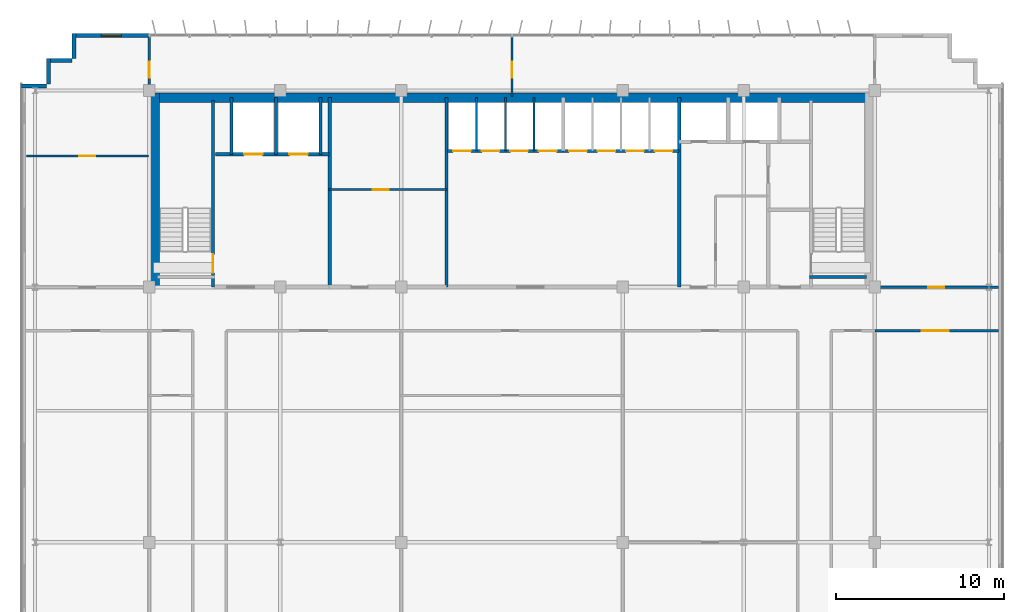
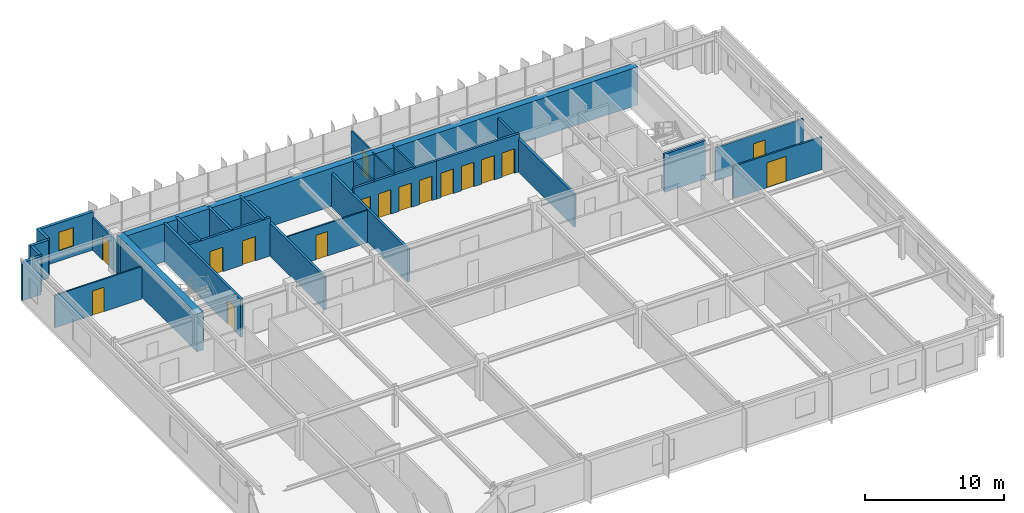
# One storey, part 16 of 19: 27 walls, 17 doors, 1 window, 18 openings.
"""IFC4 building model written with IfcOpenShell, lengths in metres."""

from ifc_helpers import new_model, si_unit, direction, frame, frame_2d, origin, place, context, subcontext, project, spatial, rectangle, extrude, source, transform, mapped, material, layer, layer_set, type_object, element, fill, save


model = new_model("IFC4")

# Units and contexts
model_context = context("Model", 3, precision=1e-05, world=origin(), true_north=direction((0.0, 1.0)))
body_context = subcontext(model_context, "Body", "Model", "MODEL_VIEW")
ifc_project = project(units=[si_unit("LENGTHUNIT", "METRE"), si_unit("AREAUNIT", "SQUARE_METRE"), si_unit("VOLUMEUNIT", "CUBIC_METRE"), si_unit("PLANEANGLEUNIT", "RADIAN"), si_unit("MASSUNIT", "GRAM", prefix="KILO")], contexts=[model_context])

# Site, building, storey
site_placement = place(None, origin())
site = spatial("IfcSite", under=ifc_project, at=site_placement, CompositionType="ELEMENT")
building_placement = place(site_placement, origin())
building = spatial("IfcBuilding", under=site, at=building_placement, Name="Trelvane Seafront Commons", CompositionType="ELEMENT")
storey_placement = place(building_placement, frame((0.0, 0.0, 215.699951171875)))
storey = spatial("IfcBuildingStorey", under=building, at=storey_placement, Name="L56", CompositionType="ELEMENT", Elevation=215.699951171875)

# Wall, opening, window
ifc_material_1 = material(Name="Precast concrete C40/50", Category="concrete")
ifc_layer_1 = layer(ifc_material_1, 0.239990234375, Name="ARCH-WALL-EXT240")
ifc_layer_set_1 = layer_set([ifc_layer_1], Name="Precast concrete C40/50")
wall_type_1 = type_object("IfcWallType", Name="ARCH-WALL-EXT240", PredefinedType="SOLIDWALL", material=ifc_layer_set_1)
wall_1_placement = place(storey_placement, frame((11.10009765625, 48.3701171875, 0.0), z_axis=(0.0, 0.0, 1.0), x_axis=(1.0, 0.0, 0.0)))
wall_1 = element("IfcWall", 1, at=wall_1_placement, inside=storey, type_object=wall_type_1, Name="EW-L56-NW-1120", PredefinedType="SOLIDWALL", context=body_context, shape_type="SweptSolid", body=[
    extrude(rectangle(XDim=4.5, YDim=0.239990234375, at=frame_2d((2.25, 0.0))), origin(), (0.0, 0.0, 1.0), 3.360107421875),
])
opening_1_placement = place(wall_1_placement, frame((1.64990234375, 0.0, 0.89990234375)))
opening_1 = element("IfcOpeningElement", 2, at=opening_1_placement, cuts=wall_1, Name="Opening W05", PredefinedType="OPENING", context=body_context, shape_type="SweptSolid", body=[
    extrude(rectangle(XDim=1.199951171875, YDim=1.64990234375, at=frame_2d((0.60009765625, 0.824951171875))), frame((0.0, 0.1298828125, 0.0), z_axis=(0.0, -1.0, 0.0), x_axis=(1.0, 0.0, 0.0)), (0.0, 0.0, 1.0), 0.260009765625),
])
ifc_material_2 = material(Name="Low-E coastal double glazing", Category="glass")
window_type = type_object("IfcWindowType", Name="ARCH-WIN-W05", PartitioningType="SINGLE_PANEL", PredefinedType="WINDOW", material=ifc_material_2)
shared_shape_1 = source(origin(), body_context, "Body", "SweptSolid", [
    extrude(rectangle(XDim=1.199951171875, YDim=1.64990234375, at=frame_2d((0.60009765625, 0.824951171875))), frame((0.0, 0.030029296875, 0.0), z_axis=(0.0, -1.0, 0.0), x_axis=(1.0, 0.0, 0.0)), (0.0, 0.0, 1.0), 0.06005859375),
])
window_placement = place(opening_1_placement, origin())
window = element("IfcWindow", 3, at=window_placement, inside=storey, type_object=window_type, Name="WIN-L56-01358", OverallHeight=1.64990234375, OverallWidth=1.199951171875, PartitioningType="SINGLE_PANEL", PredefinedType="WINDOW", context=body_context, shape_type="MappedRepresentation", body=[
    mapped(shared_shape_1, transform((0.0, 0.0, 0.0), x_axis=(1.0, 0.0, 0.0), y_axis=(0.0, 1.0, 0.0), z_axis=(0.0, 0.0, 1.0), scale=1.0)),
])
fill(opening_1, window)

# Walls
for number, where, z_axis, x_axis, name in (
    (4, (8.0, 45.3798828125, 0.0), (0.0, 0.0, 1.0), (1.0, 0.0, 0.0), "EW-L56-01126"),
    (5, (9.6201171875, 45.5, 0.0), (0.0, 0.0, 1.0), (0.0, 1.0, 0.0), "EW-L56-01127"),
    (6, (9.5, 46.8798828125, 0.0), (0.0, 0.0, 1.0), (1.0, 0.0, 0.0), "EW-L56-01128"),
    (7, (11.1201171875, 47.0, 0.0), (0.0, 0.0, 1.0), (0.0, 1.0, 0.0), "EW-L56-01129"),
):
    element("IfcWall", number, at=place(storey_placement, frame(where, z_axis=z_axis, x_axis=x_axis)), inside=storey, type_object=wall_type_1, Name=name, PredefinedType="SOLIDWALL", context=body_context, shape_type="SweptSolid", body=[
        extrude(rectangle(XDim=1.5, YDim=0.239990234375, at=frame_2d((0.75, 0.0))), origin(), (0.0, 0.0, 1.0), 3.360107421875),
    ])

# Wall, opening, door
ifc_material_3 = material(Name="Gypsum Drywall Acoustic Partition")
ifc_layer_2 = layer(ifc_material_3, 0.1201171875, Name="ARCH-WALL-PART120")
ifc_layer_set_2 = layer_set([ifc_layer_2], Name="Gypsum Drywall Acoustic Partition")
wall_type_2 = type_object("IfcWallType", Name="ARCH-WALL-PART120", PredefinedType="PARTITIONING", material=ifc_layer_set_2)
wall_2_placement = place(storey_placement, frame((26.300048828125, 39.199951171875, 0.0), z_axis=(0.0, 0.0, 1.0), x_axis=(1.0, 0.0, 0.0)))
wall_2 = element("IfcWall", 8, at=wall_2_placement, inside=storey, type_object=wall_type_2, Name="W-L56-FREED-PL-MID-014", PredefinedType="PARTITIONING", context=body_context, shape_type="SweptSolid", body=[
    extrude(rectangle(XDim=7.0, YDim=0.1201171875, at=frame_2d((3.5, 0.0))), origin(), (0.0, 0.0, 1.0), 2.860107421875),
])
opening_2_placement = place(wall_2_placement, frame((2.60009765625, 0.0, 0.0)))
opening_2 = element("IfcOpeningElement", 9, at=opening_2_placement, cuts=wall_2, Name="Opening D-L56-06", PredefinedType="OPENING", context=body_context, shape_type="SweptSolid", body=[
    extrude(rectangle(XDim=0.949951171875, YDim=2.14990234375, at=frame_2d((0.47509765625, 1.074951171875))), frame((0.0, 0.070068359375, 0.0), z_axis=(0.0, -1.0, 0.0), x_axis=(1.0, 0.0, 0.0)), (0.0, 0.0, 1.0), 0.14013671875),
])
ifc_material_4 = material(Name="Acoustic timber door leaf", Category="wood")
door_type_1 = type_object("IfcDoorType", Name="ARCH-DR-INT950", OperationType="NOTDEFINED", PredefinedType="DOOR", material=ifc_material_4)
shared_shape_2 = source(origin(), body_context, "Body", "SweptSolid", [
    extrude(rectangle(XDim=0.949951171875, YDim=2.14990234375, at=frame_2d((0.47509765625, 1.074951171875))), frame((0.0, 0.02490234375, 0.0), z_axis=(0.0, -1.0, 0.0), x_axis=(1.0, 0.0, 0.0)), (0.0, 0.0, 1.0), 0.050048828125),
])
door_1_placement = place(opening_2_placement, origin())
door_1 = element("IfcDoor", 10, at=door_1_placement, inside=storey, type_object=door_type_1, Name="L56 Housekeeping Store Door", OperationType="SINGLE_SWING_RIGHT", OverallHeight=2.14990234375, OverallWidth=0.949951171875, PredefinedType="DOOR", context=body_context, shape_type="MappedRepresentation", body=[
    mapped(shared_shape_2, transform((0.0, 0.0, 0.0), x_axis=(1.0, 0.0, 0.0), y_axis=(0.0, 1.0, 0.0), z_axis=(0.0, 0.0, 1.0), scale=1.0)),
])
fill(opening_2, door_1)

# Walls
for number, where, z_axis, x_axis, name in (
    (11, (35.10009765625, 41.5, 0.0), (0.0, 0.0, 1.0), (0.0, 1.0, 0.0), "W-L56-PM-DIV1-017"),
    (12, (36.800048828125, 41.5, 0.0), (0.0, 0.0, 1.0), (0.0, 1.0, 0.0), "W-L56-PM-DIV2-018"),
    (13, (38.5, 41.5, 0.0), (0.0, 0.0, 1.0), (0.0, 1.0, 0.0), "W-L56-PM-DIV3-019"),
):
    element("IfcWall", number, at=place(storey_placement, frame(where, z_axis=z_axis, x_axis=x_axis)), inside=storey, type_object=wall_type_2, Name=name, PredefinedType="PARTITIONING", context=body_context, shape_type="SweptSolid", body=[
        extrude(rectangle(XDim=3.199951171875, YDim=0.1201171875, at=frame_2d((1.60009765625, 0.0))), origin(), (0.0, 0.0, 1.0), 3.360107421875),
    ])

# Wall, opening, door
wall_3_placement = place(storey_placement, frame((8.300048828125, 41.199951171875, 0.0), z_axis=(0.0, 0.0, 1.0), x_axis=(1.0, 0.0, 0.0)))
wall_3 = element("IfcWall", 14, at=wall_3_placement, inside=storey, type_object=wall_type_2, Name="W-L56-NW-LGDV-036", PredefinedType="PARTITIONING", context=body_context, shape_type="SweptSolid", body=[
    extrude(rectangle(XDim=7.25, YDim=0.1201171875, at=frame_2d((3.625, 0.0))), origin(), (0.0, 0.0, 1.0), 2.860107421875),
])
opening_3_placement = place(wall_3_placement, frame((3.14990234375, 0.0, 0.0)))
opening_3 = element("IfcOpeningElement", 15, at=opening_3_placement, cuts=wall_3, Name="Opening D-L56-23", PredefinedType="OPENING", context=body_context, shape_type="SweptSolid", body=[
    extrude(rectangle(XDim=0.949951171875, YDim=2.14990234375, at=frame_2d((0.47509765625, 1.074951171875))), frame((0.0, 0.070068359375, 0.0), z_axis=(0.0, -1.0, 0.0), x_axis=(1.0, 0.0, 0.0)), (0.0, 0.0, 1.0), 0.14013671875),
])
door_2_placement = place(opening_3_placement, origin())
door_2 = element("IfcDoor", 16, at=door_2_placement, inside=storey, type_object=door_type_1, Name="L56 Door 23", OperationType="SINGLE_SWING_LEFT", OverallHeight=2.14990234375, OverallWidth=0.949951171875, PredefinedType="DOOR", context=body_context, shape_type="MappedRepresentation", body=[
    mapped(shared_shape_2, transform((0.0, 0.0, 0.0), x_axis=(1.0, 0.0, 0.0), y_axis=(0.0, 1.0, 0.0), z_axis=(0.0, 0.0, 1.0), scale=1.0)),
])
fill(opening_3, door_2)

wall_4_placement = place(storey_placement, frame((37.199951171875, 44.75, 0.0), z_axis=(0.0, 0.0, 1.0), x_axis=(0.0, 1.0, 0.0)))
wall_4 = element("IfcWall", 17, at=wall_4_placement, inside=storey, type_object=wall_type_2, Name="W-L56-N-MID-DV-039", PredefinedType="PARTITIONING", context=body_context, shape_type="SweptSolid", body=[
    extrude(rectangle(XDim=3.610107421875, YDim=0.1201171875, at=frame_2d((1.80517578125, 0.0))), origin(), (0.0, 0.0, 1.0), 2.91015625),
])
opening_4_placement = place(wall_4_placement, frame((1.10009765625, 0.0, 0.0)))
opening_4 = element("IfcOpeningElement", 18, at=opening_4_placement, cuts=wall_4, Name="Opening D-L56-26", PredefinedType="OPENING", context=body_context, shape_type="SweptSolid", body=[
    extrude(rectangle(XDim=0.949951171875, YDim=2.14990234375, at=frame_2d((0.47509765625, 1.074951171875))), frame((0.0, 0.070068359375, 0.0), z_axis=(0.0, -1.0, 0.0), x_axis=(1.0, 0.0, 0.0)), (0.0, 0.0, 1.0), 0.14013671875),
])
door_3_placement = place(opening_4_placement, origin())
door_3 = element("IfcDoor", 19, at=door_3_placement, inside=storey, type_object=door_type_1, Name="L56 Door 26", OperationType="SINGLE_SWING_RIGHT", OverallHeight=2.14990234375, OverallWidth=0.949951171875, PredefinedType="DOOR", context=body_context, shape_type="MappedRepresentation", body=[
    mapped(shared_shape_2, transform((0.0, 0.0, 0.0), x_axis=(1.0, 0.0, 0.0), y_axis=(0.0, 1.0, 0.0), z_axis=(0.0, 0.0, 1.0), scale=1.0)),
])
fill(opening_4, door_3)

ifc_layer_3 = layer(ifc_material_3, 0.14990234375, Name="ARCH-WALL-PART150")
ifc_layer_set_3 = layer_set([ifc_layer_3], Name="Gypsum Drywall Acoustic Partition")
wall_type_3 = type_object("IfcWallType", Name="ARCH-WALL-PART150", PredefinedType="PARTITIONING", material=ifc_layer_set_3)
wall_5_placement = place(storey_placement, frame((58.800048828125, 33.39990234375, 0.0), z_axis=(0.0, 0.0, 1.0), x_axis=(1.0, 0.0, 0.0)))
wall_5 = element("IfcWall", 20, at=wall_5_placement, inside=storey, type_object=wall_type_3, Name="W-L56-NE-ENT-038", PredefinedType="PARTITIONING", context=body_context, shape_type="SweptSolid", body=[
    extrude(rectangle(XDim=7.349853515625, YDim=0.14990234375, at=frame_2d((3.6748046875, 0.0))), origin(), (0.0, 0.0, 1.0), 2.91015625),
])
opening_5_placement = place(wall_5_placement, frame((3.19189453125, 0.0, 0.0)))
opening_5 = element("IfcOpeningElement", 21, at=opening_5_placement, cuts=wall_5, Name="Opening FD-L56-25", PredefinedType="OPENING", context=body_context, shape_type="SweptSolid", body=[
    extrude(rectangle(XDim=0.949951171875, YDim=2.14990234375, at=frame_2d((0.47509765625, 1.074951171875))), frame((0.0, 0.0849609375, 0.0), z_axis=(0.0, -1.0, 0.0), x_axis=(1.0, 0.0, 0.0)), (0.0, 0.0, 1.0), 0.169921875),
])
ifc_material_5 = material(Name="Powder-coated aluminium frame", Category="aluminium")
door_type_2 = type_object("IfcDoorType", Name="ARCH-DR-FD60-950", OperationType="NOTDEFINED", PredefinedType="DOOR", material=ifc_material_5)
door_4_placement = place(opening_5_placement, origin())
door_4 = element("IfcDoor", 22, at=door_4_placement, inside=storey, type_object=door_type_2, Name="L56 NE Suite Entrance Door", OperationType="SINGLE_SWING_LEFT", OverallHeight=2.14990234375, OverallWidth=0.949951171875, PredefinedType="DOOR", context=body_context, shape_type="MappedRepresentation", body=[
    mapped(shared_shape_2, transform((0.0, 0.0, 0.0), x_axis=(1.0, 0.0, 0.0), y_axis=(0.0, 1.0, 0.0), z_axis=(0.0, 0.0, 1.0), scale=1.0)),
])
fill(opening_5, door_4)

wall_6_placement = place(storey_placement, frame((15.60009765625, 44.75, 0.0), z_axis=(0.0, 0.0, 1.0), x_axis=(0.0, 1.0, 0.0)))
wall_6 = element("IfcWall", 23, at=wall_6_placement, inside=storey, type_object=wall_type_3, Name="W-L56-N-LINK-W-040", PredefinedType="PARTITIONING", context=body_context, shape_type="SweptSolid", body=[
    extrude(rectangle(XDim=3.610107421875, YDim=0.14990234375, at=frame_2d((1.80517578125, 0.0))), origin(), (0.0, 0.0, 1.0), 2.860107421875),
])
opening_6_placement = place(wall_6_placement, frame((1.10009765625, 0.0, 0.0)))
opening_6 = element("IfcOpeningElement", 24, at=opening_6_placement, cuts=wall_6, Name="Opening FD-L56-27", PredefinedType="OPENING", context=body_context, shape_type="SweptSolid", body=[
    extrude(rectangle(XDim=0.949951171875, YDim=2.14990234375, at=frame_2d((0.47509765625, 1.074951171875))), frame((0.0, 0.0849609375, 0.0), z_axis=(0.0, -1.0, 0.0), x_axis=(1.0, 0.0, 0.0)), (0.0, 0.0, 1.0), 0.169921875),
])
door_5_placement = place(opening_6_placement, origin())
door_5 = element("IfcDoor", 25, at=door_5_placement, inside=storey, type_object=door_type_2, Name="L56 Door 27", OperationType="SINGLE_SWING_LEFT", OverallHeight=2.14990234375, OverallWidth=0.949951171875, PredefinedType="DOOR", context=body_context, shape_type="MappedRepresentation", body=[
    mapped(shared_shape_2, transform((0.0, 0.0, 0.0), x_axis=(1.0, 0.0, 0.0), y_axis=(0.0, 1.0, 0.0), z_axis=(0.0, 0.0, 1.0), scale=1.0)),
])
fill(opening_6, door_5)

wall_7_placement = place(storey_placement, frame((58.800048828125, 30.800048828125, 0.0), z_axis=(0.0, 0.0, 1.0), x_axis=(1.0, 0.0, 0.0)))
wall_7 = element("IfcWall", 26, at=wall_7_placement, inside=storey, type_object=wall_type_3, Name="W-L56-CS-BAY-9-062", PredefinedType="PARTITIONING", context=body_context, shape_type="SweptSolid", body=[
    extrude(rectangle(XDim=7.375, YDim=0.14990234375, at=frame_2d((3.6875, 0.0))), origin(), (0.0, 0.0, 1.0), 2.860107421875),
])
opening_7_placement = place(wall_7_placement, frame((2.794921875, 0.0, 0.0)))
opening_7 = element("IfcOpeningElement", 27, at=opening_7_placement, cuts=wall_7, Name="Opening D-L56-41", PredefinedType="OPENING", context=body_context, shape_type="SweptSolid", body=[
    extrude(rectangle(XDim=1.60009765625, YDim=2.199951171875, at=frame_2d((0.800048828125, 1.10009765625))), frame((0.0, 0.0849609375, 0.0), z_axis=(0.0, -1.0, 0.0), x_axis=(1.0, 0.0, 0.0)), (0.0, 0.0, 1.0), 0.169921875),
])
door_type_3 = type_object("IfcDoorType", Name="ARCH-DR-GLZ1600", OperationType="DOUBLE_DOOR_SINGLE_SWING", PredefinedType="DOOR", material=ifc_material_4)
shared_shape_3 = source(origin(), body_context, "Body", "SweptSolid", [
    extrude(rectangle(XDim=1.60009765625, YDim=2.199951171875, at=frame_2d((0.800048828125, 1.10009765625))), frame((0.0, 0.02490234375, 0.0), z_axis=(0.0, -1.0, 0.0), x_axis=(1.0, 0.0, 0.0)), (0.0, 0.0, 1.0), 0.050048828125),
])
door_6_placement = place(opening_7_placement, origin())
door_6 = element("IfcDoor", 28, at=door_6_placement, inside=storey, type_object=door_type_3, Name="L56 Commons Lounge 09 Door", OperationType="DOUBLE_DOOR_SINGLE_SWING", OverallHeight=2.199951171875, OverallWidth=1.60009765625, PredefinedType="DOOR", context=body_context, shape_type="MappedRepresentation", body=[
    mapped(shared_shape_3, transform((0.0, 0.0, 0.0), x_axis=(1.0, 0.0, 0.0), y_axis=(0.0, 1.0, 0.0), z_axis=(0.0, 0.0, 1.0), scale=1.0)),
])
fill(opening_7, door_6)

# Wall, openings, doors
ifc_material_6 = material(Name="Concrete C40/50", Category="concrete")
ifc_layer_4 = layer(ifc_material_6, 0.199951171875, Name="ARCH-WALL-SHAFT200")
ifc_layer_set_4 = layer_set([ifc_layer_4], Name="Concrete C40/50")
wall_type_4 = type_object("IfcWallType", Name="ARCH-WALL-SHAFT200", PredefinedType="SOLIDWALL", material=ifc_layer_set_4)
wall_8_placement = place(storey_placement, frame((19.550048828125, 41.300048828125, 0.0), z_axis=(0.0, 0.0, 1.0), x_axis=(1.0, 0.0, 0.0)))
wall_8 = element("IfcWall", 29, at=wall_8_placement, inside=storey, type_object=wall_type_4, Name="W-L56-FFL-FRONT-008", PredefinedType="SOLIDWALL", context=body_context, shape_type="SweptSolid", body=[
    extrude(rectangle(XDim=6.75, YDim=0.199951171875, at=frame_2d((3.375, 0.0))), origin(), (0.0, 0.0, 1.0), 3.360107421875),
])
opening_8_placement = place(wall_8_placement, frame((1.699951171875, 0.0, 0.0)))
opening_8 = element("IfcOpeningElement", 30, at=opening_8_placement, cuts=wall_8, Name="Opening LD-FF1-L56", PredefinedType="OPENING", context=body_context, shape_type="SweptSolid", body=[
    extrude(rectangle(XDim=1.10009765625, YDim=2.14990234375, at=frame_2d((0.550048828125, 1.074951171875))), frame((0.0, 0.10986328125, 0.0), z_axis=(0.0, -1.0, 0.0), x_axis=(1.0, 0.0, 0.0)), (0.0, 0.0, 1.0), 0.219970703125),
])
opening_9_placement = place(wall_8_placement, frame((4.39990234375, 0.0, 0.0)))
opening_9 = element("IfcOpeningElement", 31, at=opening_9_placement, cuts=wall_8, Name="Opening LD-FF2-L56", PredefinedType="OPENING", context=body_context, shape_type="SweptSolid", body=[
    extrude(rectangle(XDim=1.10009765625, YDim=2.14990234375, at=frame_2d((0.550048828125, 1.074951171875))), frame((0.0, 0.10986328125, 0.0), z_axis=(0.0, -1.0, 0.0), x_axis=(1.0, 0.0, 0.0)), (0.0, 0.0, 1.0), 0.219970703125),
])
ifc_material_7 = material(Name="Stainless steel balustrade", Category="steel")
door_type_4 = type_object("IfcDoorType", Name="ARCH-DR-LD1100", OperationType="DOUBLE_DOOR_SLIDING", PredefinedType="DOOR", material=ifc_material_7)
shared_shape_4 = source(origin(), body_context, "Body", "SweptSolid", [
    extrude(rectangle(XDim=1.10009765625, YDim=2.14990234375, at=frame_2d((0.550048828125, 1.074951171875))), frame((0.0, 0.02490234375, 0.0), z_axis=(0.0, -1.0, 0.0), x_axis=(1.0, 0.0, 0.0)), (0.0, 0.0, 1.0), 0.050048828125),
])
door_7_placement = place(opening_8_placement, origin())
door_7 = element("IfcDoor", 32, at=door_7_placement, inside=storey, type_object=door_type_4, Name="L56 Firefighting Lift FFL-1 Landing Door", OperationType="DOUBLE_DOOR_SLIDING", OverallHeight=2.14990234375, OverallWidth=1.10009765625, PredefinedType="DOOR", context=body_context, shape_type="MappedRepresentation", body=[
    mapped(shared_shape_4, transform((0.0, 0.0, 0.0), x_axis=(1.0, 0.0, 0.0), y_axis=(0.0, 1.0, 0.0), z_axis=(0.0, 0.0, 1.0), scale=1.0)),
])
fill(opening_8, door_7)
door_8_placement = place(opening_9_placement, origin())
door_8 = element("IfcDoor", 33, at=door_8_placement, inside=storey, type_object=door_type_4, Name="L56 Firefighting Lift FFL-2 Landing Door", OperationType="DOUBLE_DOOR_SLIDING", OverallHeight=2.14990234375, OverallWidth=1.10009765625, PredefinedType="DOOR", context=body_context, shape_type="MappedRepresentation", body=[
    mapped(shared_shape_4, transform((0.0, 0.0, 0.0), x_axis=(1.0, 0.0, 0.0), y_axis=(0.0, 1.0, 0.0), z_axis=(0.0, 0.0, 1.0), scale=1.0)),
])
fill(opening_9, door_8)

# Walls
for number, where, z_axis, x_axis, name in (
    (34, (20.5, 41.300048828125, 0.0), (0.0, 0.0, 1.0), (0.0, 1.0, 0.0), "W-L56-FFL-SH-W-009"),
    (35, (23.14990234375, 41.300048828125, 0.0), (0.0, 0.0, 1.0), (0.0, 1.0, 0.0), "W-L56-FFL-DIV-010"),
    (36, (25.800048828125, 41.300048828125, 0.0), (0.0, 0.0, 1.0), (0.0, 1.0, 0.0), "W-L56-FFL-SH-E-011"),
):
    element("IfcWall", number, at=place(storey_placement, frame(where, z_axis=z_axis, x_axis=x_axis)), inside=storey, type_object=wall_type_4, Name=name, PredefinedType="SOLIDWALL", context=body_context, shape_type="SweptSolid", body=[
        extrude(rectangle(XDim=3.39990234375, YDim=0.199951171875, at=frame_2d((1.699951171875, 0.0))), origin(), (0.0, 0.0, 1.0), 3.360107421875),
    ])
for number, where, z_axis, x_axis, name in (
    (37, (26.35009765625, 33.39990234375, 0.0), (0.0, 0.0, 1.0), (0.0, 1.0, 0.0), "W-L56-FFL-EAST-012"),
    (38, (33.300048828125, 33.39990234375, 0.0), (0.0, 0.0, 1.0), (0.0, 1.0, 0.0), "W-L56-FREED-PL-E-015"),
):
    element("IfcWall", number, at=place(storey_placement, frame(where, z_axis=z_axis, x_axis=x_axis)), inside=storey, type_object=wall_type_4, Name=name, PredefinedType="SOLIDWALL", context=body_context, shape_type="SweptSolid", body=[
        extrude(rectangle(XDim=11.300048828125, YDim=0.199951171875, at=frame_2d((5.64990234375, 0.0))), origin(), (0.0, 0.0, 1.0), 2.91015625),
    ])

# Wall, openings, doors
wall_9_placement = place(storey_placement, frame((33.35009765625, 41.5, 0.0), z_axis=(0.0, 0.0, 1.0), x_axis=(1.0, 0.0, 0.0)))
wall_9 = element("IfcWall", 39, at=wall_9_placement, inside=storey, type_object=wall_type_4, Name="W-L56-PM-FRONT-016", PredefinedType="SOLIDWALL", context=body_context, shape_type="SweptSolid", body=[
    extrude(rectangle(XDim=6.89990234375, YDim=0.199951171875, at=frame_2d((3.449951171875, 0.0))), origin(), (0.0, 0.0, 1.0), 3.360107421875),
])
opening_10_placement = place(wall_9_placement, frame((0.35009765625, 0.0, 0.0)))
opening_10 = element("IfcOpeningElement", 40, at=opening_10_placement, cuts=wall_9, Name="Opening LD-PM1-L56", PredefinedType="OPENING", context=body_context, shape_type="SweptSolid", body=[
    extrude(rectangle(XDim=1.050048828125, YDim=2.14990234375, at=frame_2d((0.52490234375, 1.074951171875))), frame((0.0, 0.10986328125, 0.0), z_axis=(0.0, -1.0, 0.0), x_axis=(1.0, 0.0, 0.0)), (0.0, 0.0, 1.0), 0.219970703125),
])
opening_11_placement = place(wall_9_placement, frame((2.050048828125, 0.0, 0.0)))
opening_11 = element("IfcOpeningElement", 41, at=opening_11_placement, cuts=wall_9, Name="Opening LD-PM2-L56", PredefinedType="OPENING", context=body_context, shape_type="SweptSolid", body=[
    extrude(rectangle(XDim=1.050048828125, YDim=2.14990234375, at=frame_2d((0.52490234375, 1.074951171875))), frame((0.0, 0.10986328125, 0.0), z_axis=(0.0, -1.0, 0.0), x_axis=(1.0, 0.0, 0.0)), (0.0, 0.0, 1.0), 0.219970703125),
])
opening_12_placement = place(wall_9_placement, frame((3.75, 0.0, 0.0)))
opening_12 = element("IfcOpeningElement", 42, at=opening_12_placement, cuts=wall_9, Name="Opening LD-PM3-L56", PredefinedType="OPENING", context=body_context, shape_type="SweptSolid", body=[
    extrude(rectangle(XDim=1.050048828125, YDim=2.14990234375, at=frame_2d((0.52490234375, 1.074951171875))), frame((0.0, 0.10986328125, 0.0), z_axis=(0.0, -1.0, 0.0), x_axis=(1.0, 0.0, 0.0)), (0.0, 0.0, 1.0), 0.219970703125),
])
opening_13_placement = place(wall_9_placement, frame((5.449951171875, 0.0, 0.0)))
opening_13 = element("IfcOpeningElement", 43, at=opening_13_placement, cuts=wall_9, Name="Opening LD-PM4-L56", PredefinedType="OPENING", context=body_context, shape_type="SweptSolid", body=[
    extrude(rectangle(XDim=1.050048828125, YDim=2.14990234375, at=frame_2d((0.52490234375, 1.074951171875))), frame((0.0, 0.10986328125, 0.0), z_axis=(0.0, -1.0, 0.0), x_axis=(1.0, 0.0, 0.0)), (0.0, 0.0, 1.0), 0.219970703125),
])
door_type_5 = type_object("IfcDoorType", Name="ARCH-DR-LD1050", OperationType="DOUBLE_DOOR_SLIDING", PredefinedType="DOOR", material=ifc_material_7)
shared_shape_5 = source(origin(), body_context, "Body", "SweptSolid", [
    extrude(rectangle(XDim=1.050048828125, YDim=2.14990234375, at=frame_2d((0.52490234375, 1.074951171875))), frame((0.0, 0.02490234375, 0.0), z_axis=(0.0, -1.0, 0.0), x_axis=(1.0, 0.0, 0.0)), (0.0, 0.0, 1.0), 0.050048828125),
])
door_9_placement = place(opening_10_placement, origin())
door_9 = element("IfcDoor", 44, at=door_9_placement, inside=storey, type_object=door_type_5, Name="L56 Passenger Lift PM-1 Landing Door", OperationType="DOUBLE_DOOR_SLIDING", OverallHeight=2.14990234375, OverallWidth=1.050048828125, PredefinedType="DOOR", context=body_context, shape_type="MappedRepresentation", body=[
    mapped(shared_shape_5, transform((0.0, 0.0, 0.0), x_axis=(1.0, 0.0, 0.0), y_axis=(0.0, 1.0, 0.0), z_axis=(0.0, 0.0, 1.0), scale=1.0)),
])
fill(opening_10, door_9)
door_10_placement = place(opening_11_placement, origin())
door_10 = element("IfcDoor", 45, at=door_10_placement, inside=storey, type_object=door_type_5, Name="L56 Passenger Lift PM-2 Landing Door", OperationType="DOUBLE_DOOR_SLIDING", OverallHeight=2.14990234375, OverallWidth=1.050048828125, PredefinedType="DOOR", context=body_context, shape_type="MappedRepresentation", body=[
    mapped(shared_shape_5, transform((0.0, 0.0, 0.0), x_axis=(1.0, 0.0, 0.0), y_axis=(0.0, 1.0, 0.0), z_axis=(0.0, 0.0, 1.0), scale=1.0)),
])
fill(opening_11, door_10)
door_11_placement = place(opening_12_placement, origin())
door_11 = element("IfcDoor", 46, at=door_11_placement, inside=storey, type_object=door_type_5, Name="L56 Passenger Lift PM-3 Landing Door", OperationType="DOUBLE_DOOR_SLIDING", OverallHeight=2.14990234375, OverallWidth=1.050048828125, PredefinedType="DOOR", context=body_context, shape_type="MappedRepresentation", body=[
    mapped(shared_shape_5, transform((0.0, 0.0, 0.0), x_axis=(1.0, 0.0, 0.0), y_axis=(0.0, 1.0, 0.0), z_axis=(0.0, 0.0, 1.0), scale=1.0)),
])
fill(opening_12, door_11)
door_12_placement = place(opening_13_placement, origin())
door_12 = element("IfcDoor", 47, at=door_12_placement, inside=storey, type_object=door_type_5, Name="L56 Passenger Lift PM-4 Landing Door", OperationType="DOUBLE_DOOR_SLIDING", OverallHeight=2.14990234375, OverallWidth=1.050048828125, PredefinedType="DOOR", context=body_context, shape_type="MappedRepresentation", body=[
    mapped(shared_shape_5, transform((0.0, 0.0, 0.0), x_axis=(1.0, 0.0, 0.0), y_axis=(0.0, 1.0, 0.0), z_axis=(0.0, 0.0, 1.0), scale=1.0)),
])
fill(opening_13, door_12)

wall_10_placement = place(storey_placement, frame((40.25, 41.5, 0.0), z_axis=(0.0, 0.0, 1.0), x_axis=(1.0, 0.0, 0.0)))
wall_10 = element("IfcWall", 48, at=wall_10_placement, inside=storey, type_object=wall_type_4, Name="W-L56-PH-FRONT-020", PredefinedType="SOLIDWALL", context=body_context, shape_type="SweptSolid", body=[
    extrude(rectangle(XDim=6.89990234375, YDim=0.199951171875, at=frame_2d((3.449951171875, 0.0))), origin(), (0.0, 0.0, 1.0), 3.360107421875),
])
opening_14_placement = place(wall_10_placement, frame((0.35009765625, 0.0, 0.0)))
opening_14 = element("IfcOpeningElement", 49, at=opening_14_placement, cuts=wall_10, Name="Opening LD-PH1-L56", PredefinedType="OPENING", context=body_context, shape_type="SweptSolid", body=[
    extrude(rectangle(XDim=1.050048828125, YDim=2.14990234375, at=frame_2d((0.52490234375, 1.074951171875))), frame((0.0, 0.10986328125, 0.0), z_axis=(0.0, -1.0, 0.0), x_axis=(1.0, 0.0, 0.0)), (0.0, 0.0, 1.0), 0.219970703125),
])
opening_15_placement = place(wall_10_placement, frame((2.050048828125, 0.0, 0.0)))
opening_15 = element("IfcOpeningElement", 50, at=opening_15_placement, cuts=wall_10, Name="Opening LD-PH2-L56", PredefinedType="OPENING", context=body_context, shape_type="SweptSolid", body=[
    extrude(rectangle(XDim=1.050048828125, YDim=2.14990234375, at=frame_2d((0.52490234375, 1.074951171875))), frame((0.0, 0.10986328125, 0.0), z_axis=(0.0, -1.0, 0.0), x_axis=(1.0, 0.0, 0.0)), (0.0, 0.0, 1.0), 0.219970703125),
])
opening_16_placement = place(wall_10_placement, frame((3.75, 0.0, 0.0)))
opening_16 = element("IfcOpeningElement", 51, at=opening_16_placement, cuts=wall_10, Name="Opening LD-PH3-L56", PredefinedType="OPENING", context=body_context, shape_type="SweptSolid", body=[
    extrude(rectangle(XDim=1.050048828125, YDim=2.14990234375, at=frame_2d((0.52490234375, 1.074951171875))), frame((0.0, 0.10986328125, 0.0), z_axis=(0.0, -1.0, 0.0), x_axis=(1.0, 0.0, 0.0)), (0.0, 0.0, 1.0), 0.219970703125),
])
opening_17_placement = place(wall_10_placement, frame((5.449951171875, 0.0, 0.0)))
opening_17 = element("IfcOpeningElement", 52, at=opening_17_placement, cuts=wall_10, Name="Opening LD-PH4-L56", PredefinedType="OPENING", context=body_context, shape_type="SweptSolid", body=[
    extrude(rectangle(XDim=1.050048828125, YDim=2.14990234375, at=frame_2d((0.52490234375, 1.074951171875))), frame((0.0, 0.10986328125, 0.0), z_axis=(0.0, -1.0, 0.0), x_axis=(1.0, 0.0, 0.0)), (0.0, 0.0, 1.0), 0.219970703125),
])
door_13_placement = place(opening_14_placement, origin())
door_13 = element("IfcDoor", 53, at=door_13_placement, inside=storey, type_object=door_type_5, Name="L56 Passenger Lift PH-1 Landing Door", OperationType="DOUBLE_DOOR_SLIDING", OverallHeight=2.14990234375, OverallWidth=1.050048828125, PredefinedType="DOOR", context=body_context, shape_type="MappedRepresentation", body=[
    mapped(shared_shape_5, transform((0.0, 0.0, 0.0), x_axis=(1.0, 0.0, 0.0), y_axis=(0.0, 1.0, 0.0), z_axis=(0.0, 0.0, 1.0), scale=1.0)),
])
fill(opening_14, door_13)
door_14_placement = place(opening_15_placement, origin())
door_14 = element("IfcDoor", 54, at=door_14_placement, inside=storey, type_object=door_type_5, Name="L56 Passenger Lift PH-2 Landing Door", OperationType="DOUBLE_DOOR_SLIDING", OverallHeight=2.14990234375, OverallWidth=1.050048828125, PredefinedType="DOOR", context=body_context, shape_type="MappedRepresentation", body=[
    mapped(shared_shape_5, transform((0.0, 0.0, 0.0), x_axis=(1.0, 0.0, 0.0), y_axis=(0.0, 1.0, 0.0), z_axis=(0.0, 0.0, 1.0), scale=1.0)),
])
fill(opening_15, door_14)
door_15_placement = place(opening_16_placement, origin())
door_15 = element("IfcDoor", 55, at=door_15_placement, inside=storey, type_object=door_type_5, Name="L56 Passenger Lift PH-3 Landing Door", OperationType="DOUBLE_DOOR_SLIDING", OverallHeight=2.14990234375, OverallWidth=1.050048828125, PredefinedType="DOOR", context=body_context, shape_type="MappedRepresentation", body=[
    mapped(shared_shape_5, transform((0.0, 0.0, 0.0), x_axis=(1.0, 0.0, 0.0), y_axis=(0.0, 1.0, 0.0), z_axis=(0.0, 0.0, 1.0), scale=1.0)),
])
fill(opening_16, door_15)
door_16_placement = place(opening_17_placement, origin())
door_16 = element("IfcDoor", 56, at=door_16_placement, inside=storey, type_object=door_type_5, Name="L56 Passenger Lift PH-4 Landing Door", OperationType="DOUBLE_DOOR_SLIDING", OverallHeight=2.14990234375, OverallWidth=1.050048828125, PredefinedType="DOOR", context=body_context, shape_type="MappedRepresentation", body=[
    mapped(shared_shape_5, transform((0.0, 0.0, 0.0), x_axis=(1.0, 0.0, 0.0), y_axis=(0.0, 1.0, 0.0), z_axis=(0.0, 0.0, 1.0), scale=1.0)),
])
fill(opening_17, door_16)

# Walls
wall_11_placement = place(storey_placement, frame((47.14990234375, 33.39990234375, 0.0), z_axis=(0.0, 0.0, 1.0), x_axis=(0.0, 1.0, 0.0)))
element("IfcWall", 57, at=wall_11_placement, inside=storey, type_object=wall_type_4, Name="W-L56-PH-EAST-025", PredefinedType="SOLIDWALL", context=body_context, shape_type="SweptSolid", body=[
    extrude(rectangle(XDim=11.300048828125, YDim=0.199951171875, at=frame_2d((5.64990234375, 0.0))), origin(), (0.0, 0.0, 1.0), 2.91015625),
])
ifc_material_8 = material(Name="Concrete C50/60", Category="concrete")
ifc_layer_5 = layer(ifc_material_8, 0.550048828125, Name="STR-WALL-CORE550")
ifc_layer_set_5 = layer_set([ifc_layer_5], Name="Concrete C50/60")
wall_type_5 = type_object("IfcWallType", Name="STR-WALL-CORE550", PredefinedType="SHEAR", material=ifc_layer_set_5)
wall_12_placement = place(storey_placement, frame((15.64990234375, 44.675048828125, 0.0), z_axis=(0.0, 0.0, 1.0), x_axis=(1.0, 0.0, 0.0)))
element("IfcWall", 58, at=wall_12_placement, inside=storey, type_object=wall_type_5, Name="W-L56-CN-ALL-001", PredefinedType="SHEAR", context=body_context, shape_type="SweptSolid", body=[
    extrude(rectangle(XDim=43.10009765625, YDim=0.550048828125, at=frame_2d((21.550048828125, 0.0))), origin(), (0.0, 0.0, 1.0), 3.360107421875),
])
wall_13_placement = place(storey_placement, frame((15.925048828125, 33.39990234375, 0.0), z_axis=(0.0, 0.0, 1.0), x_axis=(0.0, 1.0, 0.0)))
element("IfcWall", 59, at=wall_13_placement, inside=storey, type_object=wall_type_5, Name="W-L56-CW-END-002", PredefinedType="SHEAR", context=body_context, shape_type="SweptSolid", body=[
    extrude(rectangle(XDim=11.550048828125, YDim=0.550048828125, at=frame_2d((5.77490234375, 0.0))), origin(), (0.0, 0.0, 1.0), 3.360107421875),
])

# Wall, opening, door
ifc_layer_6 = layer(ifc_material_8, 0.199951171875, Name="STR-WALL-STAIR200")
ifc_layer_set_6 = layer_set([ifc_layer_6], Name="Concrete C50/60")
wall_type_6 = type_object("IfcWallType", Name="STR-WALL-STAIR200", PredefinedType="SHEAR", material=ifc_layer_set_6)
wall_14_placement = place(storey_placement, frame((19.39990234375, 33.39990234375, 0.0), z_axis=(0.0, 0.0, 1.0), x_axis=(0.0, 1.0, 0.0)))
wall_14 = element("IfcWall", 60, at=wall_14_placement, inside=storey, type_object=wall_type_6, Name="W-L56-ST1-E-005", PredefinedType="SHEAR", context=body_context, shape_type="SweptSolid", body=[
    extrude(rectangle(XDim=11.10009765625, YDim=0.199951171875, at=frame_2d((5.550048828125, 0.0))), origin(), (0.0, 0.0, 1.0), 3.360107421875),
])
opening_18_placement = place(wall_14_placement, frame((0.85009765625, 0.0, 0.0)))
opening_18 = element("IfcOpeningElement", 61, at=opening_18_placement, cuts=wall_14, Name="Opening ST-D1-L56", PredefinedType="OPENING", context=body_context, shape_type="SweptSolid", body=[
    extrude(rectangle(XDim=1.10009765625, YDim=2.14990234375, at=frame_2d((0.550048828125, 1.074951171875))), frame((0.0, 0.10986328125, 0.0), z_axis=(0.0, -1.0, 0.0), x_axis=(1.0, 0.0, 0.0)), (0.0, 0.0, 1.0), 0.219970703125),
])
door_type_6 = type_object("IfcDoorType", Name="ARCH-DR-FD90-1100", OperationType="NOTDEFINED", PredefinedType="DOOR", material=ifc_material_5)
door_17_placement = place(opening_18_placement, origin())
door_17 = element("IfcDoor", 62, at=door_17_placement, inside=storey, type_object=door_type_6, Name="L56 Stair ST-1 Lobby Fire Door", OperationType="SINGLE_SWING_LEFT", OverallHeight=2.14990234375, OverallWidth=1.10009765625, PredefinedType="DOOR", context=body_context, shape_type="MappedRepresentation", body=[
    mapped(shared_shape_4, transform((0.0, 0.0, 0.0), x_axis=(1.0, 0.0, 0.0), y_axis=(0.0, 1.0, 0.0), z_axis=(0.0, 0.0, 1.0), scale=1.0)),
])
fill(opening_18, door_17)

# Wall
wall_15_placement = place(storey_placement, frame((54.89990234375, 34.0, 0.0), z_axis=(0.0, 0.0, 1.0), x_axis=(1.0, 0.0, 0.0)))
element("IfcWall", 63, at=wall_15_placement, inside=storey, type_object=wall_type_6, Name="W-L56-ST2-S-006", PredefinedType="SHEAR", context=body_context, shape_type="SweptSolid", body=[
    extrude(rectangle(XDim=3.400146484375, YDim=0.199951171875, at=frame_2d((1.7001953125, 0.0))), origin(), (0.0, 0.0, 1.0), 3.360107421875),
])

save(model, "model.ifc")
